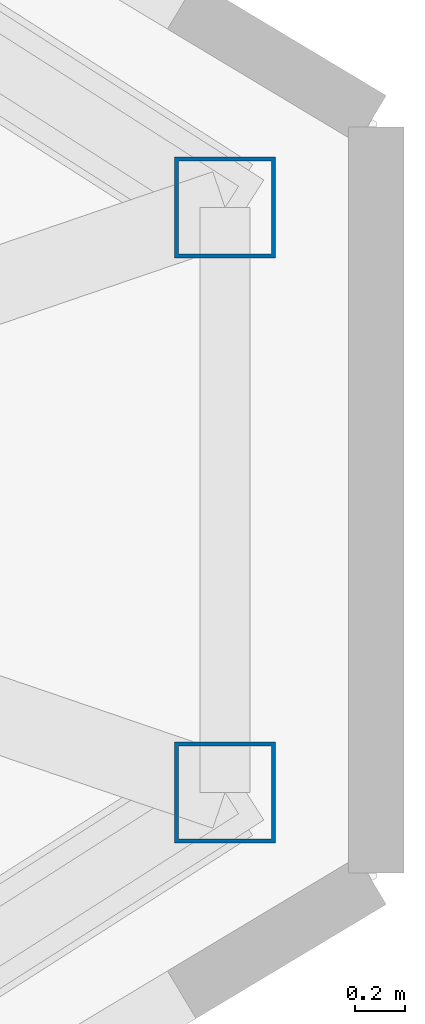
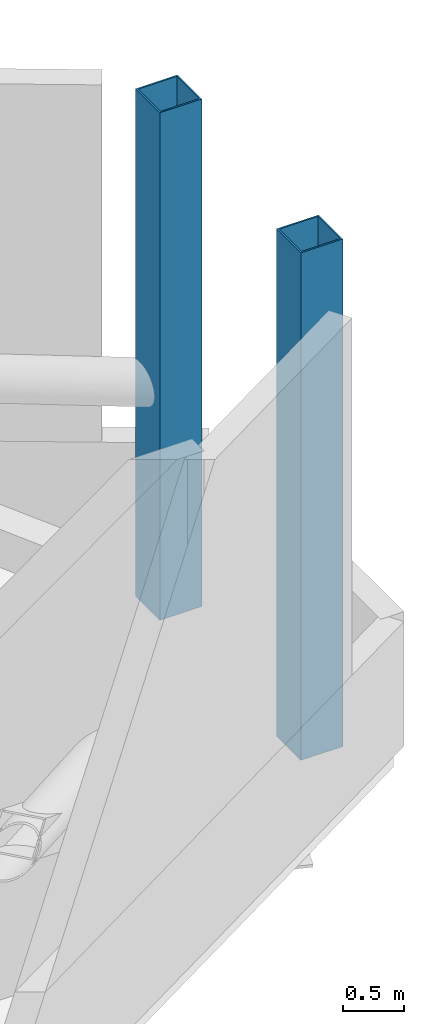
# One storey, part 4 of 13: 2 columns.
"""IFC4 building model written with IfcOpenShell, lengths in metres."""

from ifc_helpers import new_model, si_unit, direction, frame, origin, origin_2d, place, context, subcontext, project, spatial, hollow_rectangle, extrude, source, transform, mapped, material, material_profile, profile_set, type_object, type_shapes, element, save


model = new_model("IFC4")

# Units and contexts
model_context = context("Model", 3, precision=1e-05, world=origin(), true_north=direction((0.0, 1.0)))
body_context = subcontext(model_context, "Body", "Model", "MODEL_VIEW")
ifc_project = project(units=[si_unit("LENGTHUNIT", "METRE"), si_unit("AREAUNIT", "SQUARE_METRE"), si_unit("VOLUMEUNIT", "CUBIC_METRE"), si_unit("PLANEANGLEUNIT", "RADIAN"), si_unit("MASSUNIT", "GRAM", prefix="KILO")], contexts=[model_context])

# Site, building, storey
site_placement = place(None, origin())
site = spatial("IfcSite", under=ifc_project, at=site_placement, CompositionType="ELEMENT")
building_placement = place(site_placement, origin())
building = spatial("IfcBuilding", under=site, at=building_placement, Name="Seokmaru Belvedere", CompositionType="ELEMENT")
storey_placement = place(building_placement, frame((0.0, 0.0, 224.699951171875)))
storey = spatial("IfcBuildingStorey", under=building, at=storey_placement, Name="L60", CompositionType="ELEMENT", Elevation=224.699951171875)

# Columns
ifc_material = material(Name="Steel SM355 (355 MPa)", Category="steel")
ifc_material_profile = material_profile(ifc_material, hollow_rectangle(XDim=0.39990234375, YDim=0.39990234375, WallThickness=0.01611328125, at=origin_2d()), Name="HSS-400x400x16")
ifc_profile_set = profile_set([ifc_material_profile], Name="Steel SM355 (355 MPa)")
column_type = type_object("IfcColumnType", Name="Perimeter Facet Column HSS-400", PredefinedType="COLUMN", material=ifc_profile_set)
shared_shape = source(origin(), body_context, "Body", "SweptSolid", [
    extrude(hollow_rectangle(XDim=0.39990234375, YDim=0.39990234375, WallThickness=0.01611328125, at=origin_2d()), origin(), (0.0, 0.0, 1.0), 5.10009765625),
])
type_shapes(column_type, [shared_shape])
for number, where, z_axis, x_axis, name in (
    (1, (66.89990234375, -1.160400390625, 0.0), (0.0, 0.0, 1.0), (1.0, 0.0, 0.0), "L60 Column EF2"),
    (2, (66.89990234375, 1.160400390625, 0.0), (0.0, 0.0, 1.0), (1.0, 0.0, 0.0), "L60 Column EF3"),
):
    element("IfcColumn", number, at=place(storey_placement, frame(where, z_axis=z_axis, x_axis=x_axis)), inside=storey, type_object=column_type, Name=name, PredefinedType="COLUMN", context=body_context, shape_type="MappedRepresentation", body=[
        mapped(shared_shape, transform((0.0, 0.0, 0.0), scale=1.0)),
    ])

save(model, "model.ifc")
